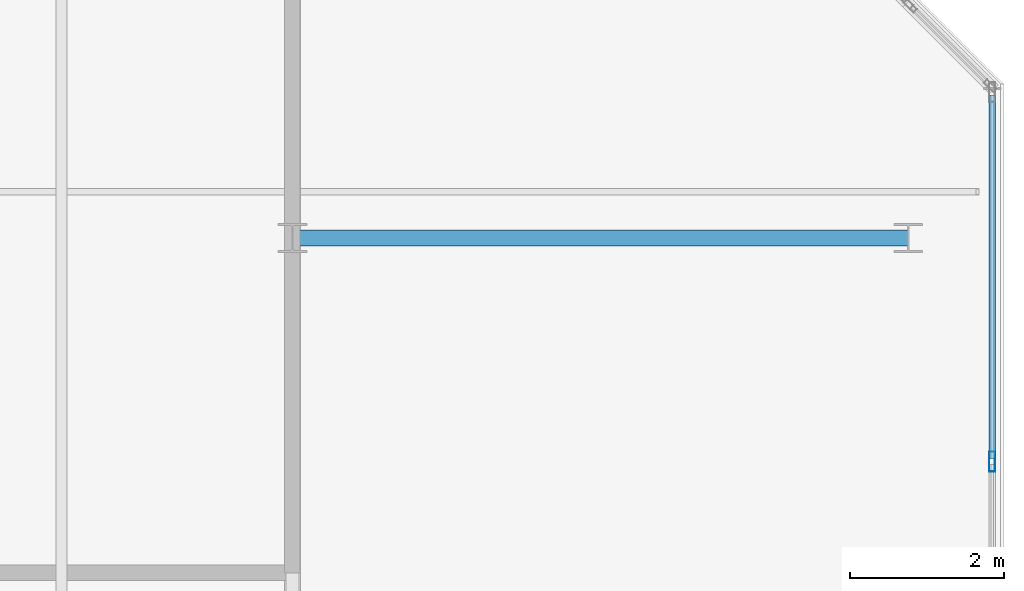
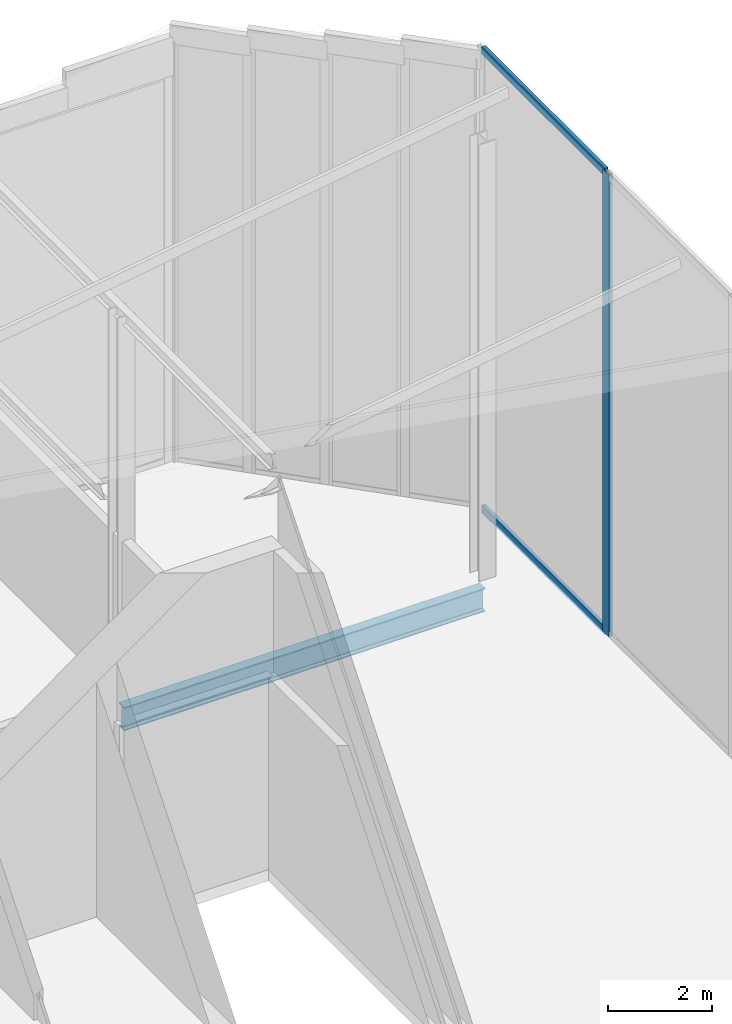
# One storey, part 19 of 30: 3 members, 1 beam, 1 element without a shape of its own.
"""IFC4 building model written with IfcOpenShell, lengths in metres."""

from ifc_helpers import new_model, si_unit, direction, frame, origin, origin_2d, place, context, subcontext, project, spatial, hollow_rectangle, i_section, extrude, material, layer, layer_set, material_profile, profile_set, type_object, element, aggregate, save


model = new_model("IFC4")

# Units and contexts
model_context = context("Model", 3, precision=1e-05, world=origin(), true_north=direction((0.0, 1.0)))
body_context = subcontext(model_context, "Body", "Model", "MODEL_VIEW")
ifc_project = project(units=[si_unit("LENGTHUNIT", "METRE"), si_unit("AREAUNIT", "SQUARE_METRE"), si_unit("VOLUMEUNIT", "CUBIC_METRE"), si_unit("PLANEANGLEUNIT", "RADIAN"), si_unit("MASSUNIT", "GRAM", prefix="KILO")], contexts=[model_context])

# Site, building, storey
site_placement = place(None, origin())
site = spatial("IfcSite", under=ifc_project, at=site_placement, CompositionType="ELEMENT")
building_placement = place(site_placement, origin())
building = spatial("IfcBuilding", under=site, at=building_placement, Name="Tanjung Sevakor Pilgrim Tower", CompositionType="ELEMENT")
storey_placement = place(building_placement, frame((0.0, 0.0, 287.760009765625)))
storey = spatial("IfcBuildingStorey", under=building, at=storey_placement, Name="L80", CompositionType="ELEMENT", Elevation=287.760009765625)

# Beam
ifc_material_1 = material(Name="Steel S355J2", Category="steel")
ifc_material_profile_1 = material_profile(ifc_material_1, i_section(OverallWidth=0.2119140625, OverallDepth=0.54443359375, WebThickness=0.0126953125, FlangeThickness=0.021240234375, FilletRadius=0.0126953125, at=origin_2d()))
ifc_profile_set_1 = profile_set([ifc_material_profile_1], Name="Steel S355J2")
beam_type = type_object("IfcBeamType", Name="BM-B-G5-UB_533x210x122", PredefinedType="BEAM", material=ifc_profile_set_1)
beam_placement = place(storey_placement, frame((90.0, 48.60009765625, -0.5322265625), z_axis=(1.0, 0.0, 0.0), x_axis=(0.0, 1.0, 0.0)))
element("IfcBeam", 1, at=beam_placement, inside=storey, type_object=beam_type, Name="L80 East Peak Wing Girder Y48.6", PredefinedType="BEAM", context=body_context, shape_type="SweptSolid", body=[
    extrude(i_section(OverallWidth=0.2119140625, OverallDepth=0.54443359375, WebThickness=0.0126953125, FlangeThickness=0.021240234375, FilletRadius=0.0126953125, at=origin_2d()), origin(), (0.0, 0.0, 1.0), 8.0),
])

# Curtain wall, members
ifc_material_2 = material(Name="Aluminium 6063-T6 and Low-E Glass", Category="aluminium")
ifc_layer = layer(ifc_material_2, 0.219970703125)
ifc_layer_set = layer_set([ifc_layer], Name="CW-SYS-CRNE")
curtain_wall_type = type_object("IfcCurtainWallType", Name="CW-SYS-CRNE", PredefinedType="NOTDEFINED", material=ifc_layer_set)
curtain_wall_placement = place(storey_placement, origin())
curtain_wall = element("IfcCurtainWall", 2, at=curtain_wall_placement, inside=storey, type_object=curtain_wall_type, Name="L80 Curtain Wall CW-CRN-L80-EAST-2-1", PredefinedType="NOTDEFINED")
ifc_material_3 = material(Name="Aluminium 6063-T6", Category="aluminium")
ifc_material_profile_2 = material_profile(ifc_material_3, hollow_rectangle(XDim=0.080078125, YDim=0.260009765625, WallThickness=0.0048828125, at=origin_2d()))
ifc_profile_set_2 = profile_set([ifc_material_profile_2], Name="Aluminium 6063-T6")
member_type_1 = type_object("IfcMemberType", Name="TYPE-CWM-3", PredefinedType="MULLION", material=ifc_profile_set_2)
member_1_placement = place(storey_placement, frame((99.090087890625, 45.696044921875, 0.0), z_axis=(0.0, 0.0, 1.0), x_axis=(-1.0, 0.0, 0.0)))
member_1 = element("IfcMember", 3, at=member_1_placement, type_object=member_type_1, Name="CW-CRE mullion 7", PredefinedType="MULLION", context=body_context, shape_type="SweptSolid", body=[
    extrude(hollow_rectangle(XDim=0.080078125, YDim=0.260009765625, WallThickness=0.0048828125, at=origin_2d()), origin(), (0.0, 0.0, 1.0), 10.82275390625),
])
ifc_material_4 = material(Name="Aluminium 6063-T6", Category="aluminium")
ifc_material_profile_3 = material_profile(ifc_material_4, hollow_rectangle(XDim=0.080078125, YDim=0.179931640625, WallThickness=0.0048828125, at=origin_2d()))
ifc_profile_set_3 = profile_set([ifc_material_profile_3], Name="Aluminium 6063-T6")
member_type_2 = type_object("IfcMemberType", Name="TYPE-CWT-3", PredefinedType="USERDEFINED", material=ifc_profile_set_3)
member_2_placement = place(storey_placement, frame((99.090087890625, 45.736083984375, 0.0400390625), z_axis=(0.0, 1.0, 0.0), x_axis=(-1.0, 0.0, 0.0)))
member_2 = element("IfcMember", 4, at=member_2_placement, type_object=member_type_2, Name="CW-CRE transom 7.1", ObjectType="TRANSOM", PredefinedType="USERDEFINED", context=body_context, shape_type="SweptSolid", body=[
    extrude(hollow_rectangle(XDim=0.080078125, YDim=0.179931640625, WallThickness=0.0048828125, at=origin_2d()), origin(), (0.0, 0.0, 1.0), 4.71826171875),
])
member_3_placement = place(storey_placement, frame((99.090087890625, 45.736083984375, 10.78271484375), z_axis=(0.0, 1.0, 0.0), x_axis=(-1.0, 0.0, 0.0)))
member_3 = element("IfcMember", 5, at=member_3_placement, type_object=member_type_2, Name="CW-CRE transom 7.2", ObjectType="TRANSOM", PredefinedType="USERDEFINED", context=body_context, shape_type="SweptSolid", body=[
    extrude(hollow_rectangle(XDim=0.080078125, YDim=0.179931640625, WallThickness=0.0048828125, at=origin_2d()), origin(), (0.0, 0.0, 1.0), 4.71826171875),
])
aggregate(curtain_wall, [member_1, member_2, member_3])

save(model, "model.ifc")
